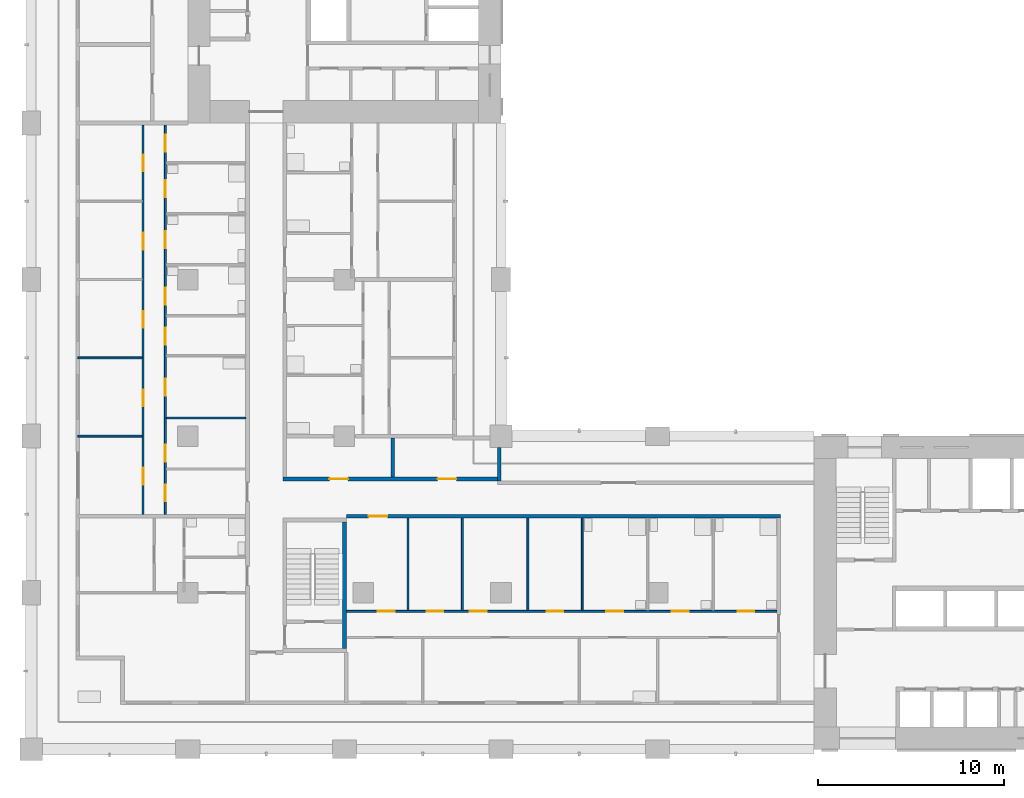
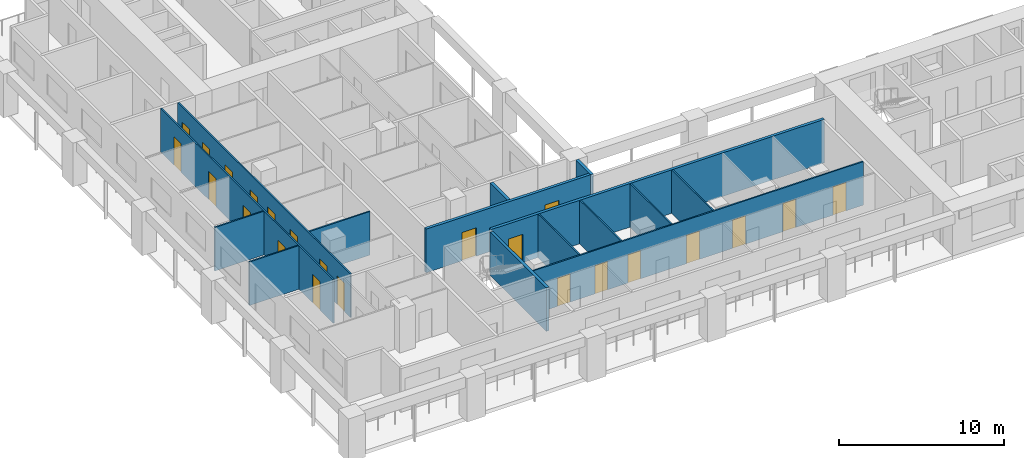
# One storey, part 3 of 17: 23 doors, 15 walls, 23 openings.
"""IFC4 building model written with IfcOpenShell, lengths in metres."""

from ifc_helpers import new_model, si_unit, direction, frame, frame_2d, origin, place, context, subcontext, project, spatial, rectangle, extrude, material, layer, layer_set, type_object, element, fill, save


model = new_model("IFC4")

# Units and contexts
model_context = context("Model", 3, precision=1e-05, world=origin(), true_north=direction((0.0, 1.0)))
body_context = subcontext(model_context, "Body", "Model", "MODEL_VIEW")
ifc_project = project(units=[si_unit("LENGTHUNIT", "METRE"), si_unit("AREAUNIT", "SQUARE_METRE"), si_unit("VOLUMEUNIT", "CUBIC_METRE"), si_unit("PLANEANGLEUNIT", "RADIAN"), si_unit("MASSUNIT", "GRAM", prefix="KILO")], contexts=[model_context])

# Site, building, storey
site_placement = place(None, origin())
site = spatial("IfcSite", under=ifc_project, at=site_placement, CompositionType="ELEMENT")
building_placement = place(site_placement, origin())
building = spatial("IfcBuilding", under=site, at=building_placement, Name="Vermilion Gate Residences", CompositionType="ELEMENT")
storey_placement = place(building_placement, frame((0.0, 0.0, 95.199951171875)))
storey = spatial("IfcBuildingStorey", under=building, at=storey_placement, Name="L23", CompositionType="ELEMENT", Elevation=95.199951171875)

# Wall
ifc_material_1 = material(Name="Insulated steel stud wall with terracotta rainscreen", Category="masonry")
ifc_layer_1 = layer(ifc_material_1, 0.199951171875)
ifc_layer_set_1 = layer_set([ifc_layer_1], Name="EXTERNAL WALL 200 TERRACOTTA RAINSCREEN")
wall_type_1 = type_object("IfcWallType", Name="EXTERNAL WALL 200 TERRACOTTA RAINSCREEN", PredefinedType="SOLIDWALL", material=ifc_layer_set_1)
wall_1_placement = place(storey_placement, frame((25.10009765625, 22.800048828125, 0.0), z_axis=(0.0, 0.0, 1.0), x_axis=(0.0, 1.0, 0.0)))
element("IfcWall", 1, at=wall_1_placement, inside=storey, type_object=wall_type_1, Name="External wall", PredefinedType="SOLIDWALL", context=body_context, shape_type="SweptSolid", body=[
    extrude(rectangle(XDim=1.800048828125, YDim=0.199951171875, at=frame_2d((0.89990234375, 0.0))), origin(), (0.0, 0.0, 1.0), 3.219970703125),
])

# Wall, openings, doors
ifc_material_2 = material(Name="Plasterboard on steel studs", Category="steel")
ifc_layer_2 = layer(ifc_material_2, 0.10009765625)
ifc_layer_set_2 = layer_set([ifc_layer_2], Name="PARTITION 100")
wall_type_2 = type_object("IfcWallType", Name="PARTITION 100", PredefinedType="PARTITIONING", material=ifc_layer_set_2)
wall_2_placement = place(storey_placement, frame((16.89990234375, 15.800048828125, 0.0), z_axis=(0.0, 0.0, 1.0), x_axis=(1.0, 0.0, 0.0)))
wall_2 = element("IfcWall", 2, at=wall_2_placement, inside=storey, type_object=wall_type_2, Name="Partition", PredefinedType="PARTITIONING", context=body_context, shape_type="SweptSolid", body=[
    extrude(rectangle(XDim=23.10009765625, YDim=0.10009765625, at=frame_2d((11.550048828125, 0.0))), origin(), (0.0, 0.0, 1.0), 3.219970703125),
])
opening_1_placement = place(wall_2_placement, frame((1.699951171875, 0.0, 0.0)))
opening_1 = element("IfcOpeningElement", 3, at=opening_1_placement, cuts=wall_2, Name="Opening DA22006", PredefinedType="OPENING", context=body_context, shape_type="SweptSolid", body=[
    extrude(rectangle(XDim=0.89990234375, YDim=2.10009765625, at=frame_2d((0.449951171875, 1.050048828125))), frame((0.0, 0.06005859375, 0.0), z_axis=(0.0, -1.0, 0.0), x_axis=(1.0, 0.0, 0.0)), (0.0, 0.0, 1.0), 0.1201171875),
])
opening_2_placement = place(wall_2_placement, frame((4.31396484375, 0.0, 0.0)))
opening_2 = element("IfcOpeningElement", 4, at=opening_2_placement, cuts=wall_2, Name="Opening DA22007", PredefinedType="OPENING", context=body_context, shape_type="SweptSolid", body=[
    extrude(rectangle(XDim=0.89990234375, YDim=2.10009765625, at=frame_2d((0.449951171875, 1.050048828125))), frame((0.0, 0.06005859375, 0.0), z_axis=(0.0, -1.0, 0.0), x_axis=(1.0, 0.0, 0.0)), (0.0, 0.0, 1.0), 0.1201171875),
])
opening_3_placement = place(wall_2_placement, frame((6.62890625, 0.0, 0.0)))
opening_3 = element("IfcOpeningElement", 5, at=opening_3_placement, cuts=wall_2, Name="Opening DA22008", PredefinedType="OPENING", context=body_context, shape_type="SweptSolid", body=[
    extrude(rectangle(XDim=0.89990234375, YDim=2.10009765625, at=frame_2d((0.449951171875, 1.050048828125))), frame((0.0, 0.06005859375, 0.0), z_axis=(0.0, -1.0, 0.0), x_axis=(1.0, 0.0, 0.0)), (0.0, 0.0, 1.0), 0.1201171875),
])
opening_4_placement = place(wall_2_placement, frame((10.742919921875, 0.0, 0.0)))
opening_4 = element("IfcOpeningElement", 6, at=opening_4_placement, cuts=wall_2, Name="Opening DA22009", PredefinedType="OPENING", context=body_context, shape_type="SweptSolid", body=[
    extrude(rectangle(XDim=0.89990234375, YDim=2.10009765625, at=frame_2d((0.449951171875, 1.050048828125))), frame((0.0, 0.06005859375, 0.0), z_axis=(0.0, -1.0, 0.0), x_axis=(1.0, 0.0, 0.0)), (0.0, 0.0, 1.0), 0.1201171875),
])
opening_5_placement = place(wall_2_placement, frame((13.95703125, 0.0, 0.0)))
opening_5 = element("IfcOpeningElement", 7, at=opening_5_placement, cuts=wall_2, Name="Opening DA22010", PredefinedType="OPENING", context=body_context, shape_type="SweptSolid", body=[
    extrude(rectangle(XDim=0.89990234375, YDim=2.10009765625, at=frame_2d((0.449951171875, 1.050048828125))), frame((0.0, 0.06005859375, 0.0), z_axis=(0.0, -1.0, 0.0), x_axis=(1.0, 0.0, 0.0)), (0.0, 0.0, 1.0), 0.1201171875),
])
opening_6_placement = place(wall_2_placement, frame((17.471923828125, 0.0, 0.0)))
opening_6 = element("IfcOpeningElement", 8, at=opening_6_placement, cuts=wall_2, Name="Opening DA22011", PredefinedType="OPENING", context=body_context, shape_type="SweptSolid", body=[
    extrude(rectangle(XDim=0.89990234375, YDim=2.10009765625, at=frame_2d((0.449951171875, 1.050048828125))), frame((0.0, 0.06005859375, 0.0), z_axis=(0.0, -1.0, 0.0), x_axis=(1.0, 0.0, 0.0)), (0.0, 0.0, 1.0), 0.1201171875),
])
opening_7_placement = place(wall_2_placement, frame((20.986083984375, 0.0, 0.0)))
opening_7 = element("IfcOpeningElement", 9, at=opening_7_placement, cuts=wall_2, Name="Opening DA22012", PredefinedType="OPENING", context=body_context, shape_type="SweptSolid", body=[
    extrude(rectangle(XDim=0.89990234375, YDim=2.10009765625, at=frame_2d((0.449951171875, 1.050048828125))), frame((0.0, 0.06005859375, 0.0), z_axis=(0.0, -1.0, 0.0), x_axis=(1.0, 0.0, 0.0)), (0.0, 0.0, 1.0), 0.1201171875),
])
ifc_material_3 = material(Name="Timber", Category="wood")
door_type_1 = type_object("IfcDoorType", Name="INTERIOR DOOR 900 X 2100", OperationType="SINGLE_SWING_LEFT", PredefinedType="DOOR", material=ifc_material_3)
door_1_placement = place(opening_1_placement, origin())
door_1 = element("IfcDoor", 10, at=door_1_placement, inside=storey, type_object=door_type_1, Name="Interior door", OperationType="SINGLE_SWING_RIGHT", OverallHeight=2.10009765625, OverallWidth=0.89990234375, PredefinedType="DOOR", context=body_context, shape_type="SweptSolid", body=[
    extrude(rectangle(XDim=0.89990234375, YDim=2.10009765625, at=frame_2d((0.449951171875, 1.050048828125))), frame((0.0, 0.02490234375, 0.0), z_axis=(0.0, -1.0, 0.0), x_axis=(1.0, 0.0, 0.0)), (0.0, 0.0, 1.0), 0.050048828125),
])
fill(opening_1, door_1)
door_2_placement = place(opening_2_placement, origin())
door_2 = element("IfcDoor", 11, at=door_2_placement, inside=storey, type_object=door_type_1, Name="Interior door", OperationType="SINGLE_SWING_LEFT", OverallHeight=2.10009765625, OverallWidth=0.89990234375, PredefinedType="DOOR", context=body_context, shape_type="SweptSolid", body=[
    extrude(rectangle(XDim=0.89990234375, YDim=2.10009765625, at=frame_2d((0.449951171875, 1.050048828125))), frame((0.0, 0.02490234375, 0.0), z_axis=(0.0, -1.0, 0.0), x_axis=(1.0, 0.0, 0.0)), (0.0, 0.0, 1.0), 0.050048828125),
])
fill(opening_2, door_2)
door_3_placement = place(opening_3_placement, origin())
door_3 = element("IfcDoor", 12, at=door_3_placement, inside=storey, type_object=door_type_1, Name="Interior door", OperationType="SINGLE_SWING_LEFT", OverallHeight=2.10009765625, OverallWidth=0.89990234375, PredefinedType="DOOR", context=body_context, shape_type="SweptSolid", body=[
    extrude(rectangle(XDim=0.89990234375, YDim=2.10009765625, at=frame_2d((0.449951171875, 1.050048828125))), frame((0.0, 0.02490234375, 0.0), z_axis=(0.0, -1.0, 0.0), x_axis=(1.0, 0.0, 0.0)), (0.0, 0.0, 1.0), 0.050048828125),
])
fill(opening_3, door_3)
door_4_placement = place(opening_4_placement, origin())
door_4 = element("IfcDoor", 13, at=door_4_placement, inside=storey, type_object=door_type_1, Name="Interior door", OperationType="SINGLE_SWING_LEFT", OverallHeight=2.10009765625, OverallWidth=0.89990234375, PredefinedType="DOOR", context=body_context, shape_type="SweptSolid", body=[
    extrude(rectangle(XDim=0.89990234375, YDim=2.10009765625, at=frame_2d((0.449951171875, 1.050048828125))), frame((0.0, 0.02490234375, 0.0), z_axis=(0.0, -1.0, 0.0), x_axis=(1.0, 0.0, 0.0)), (0.0, 0.0, 1.0), 0.050048828125),
])
fill(opening_4, door_4)
door_5_placement = place(opening_5_placement, origin())
door_5 = element("IfcDoor", 14, at=door_5_placement, inside=storey, type_object=door_type_1, Name="Interior door", OperationType="SINGLE_SWING_RIGHT", OverallHeight=2.10009765625, OverallWidth=0.89990234375, PredefinedType="DOOR", context=body_context, shape_type="SweptSolid", body=[
    extrude(rectangle(XDim=0.89990234375, YDim=2.10009765625, at=frame_2d((0.449951171875, 1.050048828125))), frame((0.0, 0.02490234375, 0.0), z_axis=(0.0, -1.0, 0.0), x_axis=(1.0, 0.0, 0.0)), (0.0, 0.0, 1.0), 0.050048828125),
])
fill(opening_5, door_5)
door_6_placement = place(opening_6_placement, origin())
door_6 = element("IfcDoor", 15, at=door_6_placement, inside=storey, type_object=door_type_1, Name="Interior door", OperationType="SINGLE_SWING_RIGHT", OverallHeight=2.10009765625, OverallWidth=0.89990234375, PredefinedType="DOOR", context=body_context, shape_type="SweptSolid", body=[
    extrude(rectangle(XDim=0.89990234375, YDim=2.10009765625, at=frame_2d((0.449951171875, 1.050048828125))), frame((0.0, 0.02490234375, 0.0), z_axis=(0.0, -1.0, 0.0), x_axis=(1.0, 0.0, 0.0)), (0.0, 0.0, 1.0), 0.050048828125),
])
fill(opening_6, door_6)
door_7_placement = place(opening_7_placement, origin())
door_7 = element("IfcDoor", 16, at=door_7_placement, inside=storey, type_object=door_type_1, Name="Interior door", OperationType="SINGLE_SWING_RIGHT", OverallHeight=2.10009765625, OverallWidth=0.89990234375, PredefinedType="DOOR", context=body_context, shape_type="SweptSolid", body=[
    extrude(rectangle(XDim=0.89990234375, YDim=2.10009765625, at=frame_2d((0.449951171875, 1.050048828125))), frame((0.0, 0.02490234375, 0.0), z_axis=(0.0, -1.0, 0.0), x_axis=(1.0, 0.0, 0.0)), (0.0, 0.0, 1.0), 0.050048828125),
])
fill(opening_7, door_7)

# Walls
wall_3_placement = place(storey_placement, frame((2.5, 25.199951171875, 0.0), z_axis=(0.0, 0.0, 1.0), x_axis=(1.0, 0.0, 0.0)))
element("IfcWall", 17, at=wall_3_placement, inside=storey, type_object=wall_type_2, Name="Partition", PredefinedType="PARTITIONING", context=body_context, shape_type="SweptSolid", body=[
    extrude(rectangle(XDim=3.449951171875, YDim=0.10009765625, at=frame_2d((1.72509765625, 0.0))), origin(), (0.0, 0.0, 1.0), 3.219970703125),
])
wall_4_placement = place(storey_placement, frame((7.25, 26.175048828125, 0.0), z_axis=(0.0, 0.0, 1.0), x_axis=(1.0, 0.0, 0.0)))
element("IfcWall", 18, at=wall_4_placement, inside=storey, type_object=wall_type_2, Name="Partition", PredefinedType="PARTITIONING", context=body_context, shape_type="SweptSolid", body=[
    extrude(rectangle(XDim=4.25, YDim=0.10009765625, at=frame_2d((2.125, 0.0))), origin(), (0.0, 0.0, 1.0), 3.219970703125),
])
wall_5_placement = place(storey_placement, frame((2.5, 29.39990234375, 0.0), z_axis=(0.0, 0.0, 1.0), x_axis=(1.0, 0.0, 0.0)))
element("IfcWall", 19, at=wall_5_placement, inside=storey, type_object=wall_type_2, Name="Partition", PredefinedType="PARTITIONING", context=body_context, shape_type="SweptSolid", body=[
    extrude(rectangle(XDim=3.449951171875, YDim=0.10009765625, at=frame_2d((1.72509765625, 0.0))), origin(), (0.0, 0.0, 1.0), 3.219970703125),
])

# Wall, openings, doors
wall_6_placement = place(storey_placement, frame((6.0, 21.0, 0.0), z_axis=(0.0, 0.0, 1.0), x_axis=(0.0, 1.0, 0.0)))
wall_6 = element("IfcWall", 20, at=wall_6_placement, inside=storey, type_object=wall_type_2, Name="Partition", PredefinedType="PARTITIONING", context=body_context, shape_type="SweptSolid", body=[
    extrude(rectangle(XDim=20.89990234375, YDim=0.10009765625, at=frame_2d((10.449951171875, 0.0))), origin(), (0.0, 0.0, 1.0), 3.219970703125),
])
opening_8_placement = place(wall_6_placement, frame((1.60009765625, 0.0, 0.0)))
opening_8 = element("IfcOpeningElement", 21, at=opening_8_placement, cuts=wall_6, Name="Opening DA22017", PredefinedType="OPENING", context=body_context, shape_type="SweptSolid", body=[
    extrude(rectangle(XDim=0.89990234375, YDim=2.10009765625, at=frame_2d((0.449951171875, 1.050048828125))), frame((0.0, 0.06005859375, 0.0), z_axis=(0.0, -1.0, 0.0), x_axis=(1.0, 0.0, 0.0)), (0.0, 0.0, 1.0), 0.1201171875),
])
opening_9_placement = place(wall_6_placement, frame((5.800048828125, 0.0, 0.0)))
opening_9 = element("IfcOpeningElement", 22, at=opening_9_placement, cuts=wall_6, Name="Opening DA22018", PredefinedType="OPENING", context=body_context, shape_type="SweptSolid", body=[
    extrude(rectangle(XDim=0.89990234375, YDim=2.10009765625, at=frame_2d((0.449951171875, 1.050048828125))), frame((0.0, 0.06005859375, 0.0), z_axis=(0.0, -1.0, 0.0), x_axis=(1.0, 0.0, 0.0)), (0.0, 0.0, 1.0), 0.1201171875),
])
opening_10_placement = place(wall_6_placement, frame((10.0, 0.0, 0.0)))
opening_10 = element("IfcOpeningElement", 23, at=opening_10_placement, cuts=wall_6, Name="Opening DA22019", PredefinedType="OPENING", context=body_context, shape_type="SweptSolid", body=[
    extrude(rectangle(XDim=0.89990234375, YDim=2.10009765625, at=frame_2d((0.449951171875, 1.050048828125))), frame((0.0, 0.06005859375, 0.0), z_axis=(0.0, -1.0, 0.0), x_axis=(1.0, 0.0, 0.0)), (0.0, 0.0, 1.0), 0.1201171875),
])
opening_11_placement = place(wall_6_placement, frame((14.199951171875, 0.0, 0.0)))
opening_11 = element("IfcOpeningElement", 24, at=opening_11_placement, cuts=wall_6, Name="Opening DA22020", PredefinedType="OPENING", context=body_context, shape_type="SweptSolid", body=[
    extrude(rectangle(XDim=0.89990234375, YDim=2.10009765625, at=frame_2d((0.449951171875, 1.050048828125))), frame((0.0, 0.06005859375, 0.0), z_axis=(0.0, -1.0, 0.0), x_axis=(1.0, 0.0, 0.0)), (0.0, 0.0, 1.0), 0.1201171875),
])
opening_12_placement = place(wall_6_placement, frame((18.39990234375, 0.0, 0.0)))
opening_12 = element("IfcOpeningElement", 25, at=opening_12_placement, cuts=wall_6, Name="Opening DA22021", PredefinedType="OPENING", context=body_context, shape_type="SweptSolid", body=[
    extrude(rectangle(XDim=0.89990234375, YDim=2.10009765625, at=frame_2d((0.449951171875, 1.050048828125))), frame((0.0, 0.06005859375, 0.0), z_axis=(0.0, -1.0, 0.0), x_axis=(1.0, 0.0, 0.0)), (0.0, 0.0, 1.0), 0.1201171875),
])
door_8_placement = place(opening_8_placement, origin())
door_8 = element("IfcDoor", 26, at=door_8_placement, inside=storey, type_object=door_type_1, Name="Interior door", OperationType="SINGLE_SWING_LEFT", OverallHeight=2.10009765625, OverallWidth=0.89990234375, PredefinedType="DOOR", context=body_context, shape_type="SweptSolid", body=[
    extrude(rectangle(XDim=0.89990234375, YDim=2.10009765625, at=frame_2d((0.449951171875, 1.050048828125))), frame((0.0, 0.02490234375, 0.0), z_axis=(0.0, -1.0, 0.0), x_axis=(1.0, 0.0, 0.0)), (0.0, 0.0, 1.0), 0.050048828125),
])
fill(opening_8, door_8)
door_9_placement = place(opening_9_placement, origin())
door_9 = element("IfcDoor", 27, at=door_9_placement, inside=storey, type_object=door_type_1, Name="Interior door", OperationType="SINGLE_SWING_LEFT", OverallHeight=2.10009765625, OverallWidth=0.89990234375, PredefinedType="DOOR", context=body_context, shape_type="SweptSolid", body=[
    extrude(rectangle(XDim=0.89990234375, YDim=2.10009765625, at=frame_2d((0.449951171875, 1.050048828125))), frame((0.0, 0.02490234375, 0.0), z_axis=(0.0, -1.0, 0.0), x_axis=(1.0, 0.0, 0.0)), (0.0, 0.0, 1.0), 0.050048828125),
])
fill(opening_9, door_9)
door_10_placement = place(opening_10_placement, origin())
door_10 = element("IfcDoor", 28, at=door_10_placement, inside=storey, type_object=door_type_1, Name="Interior door", OperationType="SINGLE_SWING_LEFT", OverallHeight=2.10009765625, OverallWidth=0.89990234375, PredefinedType="DOOR", context=body_context, shape_type="SweptSolid", body=[
    extrude(rectangle(XDim=0.89990234375, YDim=2.10009765625, at=frame_2d((0.449951171875, 1.050048828125))), frame((0.0, 0.02490234375, 0.0), z_axis=(0.0, -1.0, 0.0), x_axis=(1.0, 0.0, 0.0)), (0.0, 0.0, 1.0), 0.050048828125),
])
fill(opening_10, door_10)
door_11_placement = place(opening_11_placement, origin())
door_11 = element("IfcDoor", 29, at=door_11_placement, inside=storey, type_object=door_type_1, Name="Interior door", OperationType="SINGLE_SWING_LEFT", OverallHeight=2.10009765625, OverallWidth=0.89990234375, PredefinedType="DOOR", context=body_context, shape_type="SweptSolid", body=[
    extrude(rectangle(XDim=0.89990234375, YDim=2.10009765625, at=frame_2d((0.449951171875, 1.050048828125))), frame((0.0, 0.02490234375, 0.0), z_axis=(0.0, -1.0, 0.0), x_axis=(1.0, 0.0, 0.0)), (0.0, 0.0, 1.0), 0.050048828125),
])
fill(opening_11, door_11)
door_12_placement = place(opening_12_placement, origin())
door_12 = element("IfcDoor", 30, at=door_12_placement, inside=storey, type_object=door_type_1, Name="Interior door", OperationType="SINGLE_SWING_LEFT", OverallHeight=2.10009765625, OverallWidth=0.89990234375, PredefinedType="DOOR", context=body_context, shape_type="SweptSolid", body=[
    extrude(rectangle(XDim=0.89990234375, YDim=2.10009765625, at=frame_2d((0.449951171875, 1.050048828125))), frame((0.0, 0.02490234375, 0.0), z_axis=(0.0, -1.0, 0.0), x_axis=(1.0, 0.0, 0.0)), (0.0, 0.0, 1.0), 0.050048828125),
])
fill(opening_12, door_12)

wall_7_placement = place(storey_placement, frame((7.199951171875, 21.0, 0.0), z_axis=(0.0, 0.0, 1.0), x_axis=(0.0, 1.0, 0.0)))
wall_7 = element("IfcWall", 31, at=wall_7_placement, inside=storey, type_object=wall_type_2, Name="Partition", PredefinedType="PARTITIONING", context=body_context, shape_type="SweptSolid", body=[
    extrude(rectangle(XDim=20.89990234375, YDim=0.10009765625, at=frame_2d((10.449951171875, 0.0))), origin(), (0.0, 0.0, 1.0), 3.219970703125),
])
opening_13_placement = place(wall_7_placement, frame((0.699951171875, 0.0, 0.0)))
opening_13 = element("IfcOpeningElement", 32, at=opening_13_placement, cuts=wall_7, Name="Opening DA22026", PredefinedType="OPENING", context=body_context, shape_type="SweptSolid", body=[
    extrude(rectangle(XDim=0.89990234375, YDim=2.10009765625, at=frame_2d((0.449951171875, 1.050048828125))), frame((0.0, 0.06005859375, 0.0), z_axis=(0.0, -1.0, 0.0), x_axis=(1.0, 0.0, 0.0)), (0.0, 0.0, 1.0), 0.1201171875),
])
opening_14_placement = place(wall_7_placement, frame((2.837890625, 0.0, 0.0)))
opening_14 = element("IfcOpeningElement", 33, at=opening_14_placement, cuts=wall_7, Name="Opening DA22027", PredefinedType="OPENING", context=body_context, shape_type="SweptSolid", body=[
    extrude(rectangle(XDim=0.89990234375, YDim=2.10009765625, at=frame_2d((0.449951171875, 1.050048828125))), frame((0.0, 0.06005859375, 0.0), z_axis=(0.0, -1.0, 0.0), x_axis=(1.0, 0.0, 0.0)), (0.0, 0.0, 1.0), 0.1201171875),
])
opening_15_placement = place(wall_7_placement, frame((6.375, 0.0, 0.0)))
opening_15 = element("IfcOpeningElement", 34, at=opening_15_placement, cuts=wall_7, Name="Opening DA22028", PredefinedType="OPENING", context=body_context, shape_type="SweptSolid", body=[
    extrude(rectangle(XDim=0.89990234375, YDim=2.10009765625, at=frame_2d((0.449951171875, 1.050048828125))), frame((0.0, 0.06005859375, 0.0), z_axis=(0.0, -1.0, 0.0), x_axis=(1.0, 0.0, 0.0)), (0.0, 0.0, 1.0), 0.1201171875),
])
opening_16_placement = place(wall_7_placement, frame((9.113037109375, 0.0, 0.0)))
opening_16 = element("IfcOpeningElement", 35, at=opening_16_placement, cuts=wall_7, Name="Opening DA22029", PredefinedType="OPENING", context=body_context, shape_type="SweptSolid", body=[
    extrude(rectangle(XDim=0.89990234375, YDim=2.10009765625, at=frame_2d((0.449951171875, 1.050048828125))), frame((0.0, 0.06005859375, 0.0), z_axis=(0.0, -1.0, 0.0), x_axis=(1.0, 0.0, 0.0)), (0.0, 0.0, 1.0), 0.1201171875),
])
opening_17_placement = place(wall_7_placement, frame((11.25, 0.0, 0.0)))
opening_17 = element("IfcOpeningElement", 36, at=opening_17_placement, cuts=wall_7, Name="Opening DA22030", PredefinedType="OPENING", context=body_context, shape_type="SweptSolid", body=[
    extrude(rectangle(XDim=0.89990234375, YDim=2.10009765625, at=frame_2d((0.449951171875, 1.050048828125))), frame((0.0, 0.06005859375, 0.0), z_axis=(0.0, -1.0, 0.0), x_axis=(1.0, 0.0, 0.0)), (0.0, 0.0, 1.0), 0.1201171875),
])
opening_18_placement = place(wall_7_placement, frame((14.2880859375, 0.0, 0.0)))
opening_18 = element("IfcOpeningElement", 37, at=opening_18_placement, cuts=wall_7, Name="Opening DA22031", PredefinedType="OPENING", context=body_context, shape_type="SweptSolid", body=[
    extrude(rectangle(XDim=0.89990234375, YDim=2.10009765625, at=frame_2d((0.449951171875, 1.050048828125))), frame((0.0, 0.06005859375, 0.0), z_axis=(0.0, -1.0, 0.0), x_axis=(1.0, 0.0, 0.0)), (0.0, 0.0, 1.0), 0.1201171875),
])
opening_19_placement = place(wall_7_placement, frame((17.02490234375, 0.0, 0.0)))
opening_19 = element("IfcOpeningElement", 38, at=opening_19_placement, cuts=wall_7, Name="Opening DA22032", PredefinedType="OPENING", context=body_context, shape_type="SweptSolid", body=[
    extrude(rectangle(XDim=0.89990234375, YDim=2.10009765625, at=frame_2d((0.449951171875, 1.050048828125))), frame((0.0, 0.06005859375, 0.0), z_axis=(0.0, -1.0, 0.0), x_axis=(1.0, 0.0, 0.0)), (0.0, 0.0, 1.0), 0.1201171875),
])
opening_20_placement = place(wall_7_placement, frame((19.462890625, 0.0, 0.0)))
opening_20 = element("IfcOpeningElement", 39, at=opening_20_placement, cuts=wall_7, Name="Opening DA22033", PredefinedType="OPENING", context=body_context, shape_type="SweptSolid", body=[
    extrude(rectangle(XDim=0.89990234375, YDim=2.10009765625, at=frame_2d((0.449951171875, 1.050048828125))), frame((0.0, 0.06005859375, 0.0), z_axis=(0.0, -1.0, 0.0), x_axis=(1.0, 0.0, 0.0)), (0.0, 0.0, 1.0), 0.1201171875),
])
door_13_placement = place(opening_13_placement, frame((0.89990234375, 0.0, 0.0), z_axis=(0.0, 0.0, 1.0), x_axis=(-1.0, 0.0, 0.0)))
door_13 = element("IfcDoor", 40, at=door_13_placement, inside=storey, type_object=door_type_1, Name="Interior door", OperationType="SINGLE_SWING_RIGHT", OverallHeight=2.10009765625, OverallWidth=0.89990234375, PredefinedType="DOOR", context=body_context, shape_type="SweptSolid", body=[
    extrude(rectangle(XDim=0.89990234375, YDim=2.10009765625, at=frame_2d((0.449951171875, 1.050048828125))), frame((0.0, 0.02490234375, 0.0), z_axis=(0.0, -1.0, 0.0), x_axis=(1.0, 0.0, 0.0)), (0.0, 0.0, 1.0), 0.050048828125),
])
fill(opening_13, door_13)
door_14_placement = place(opening_14_placement, frame((0.89990234375, 0.0, 0.0), z_axis=(0.0, 0.0, 1.0), x_axis=(-1.0, 0.0, 0.0)))
door_14 = element("IfcDoor", 41, at=door_14_placement, inside=storey, type_object=door_type_1, Name="Interior door", OperationType="SINGLE_SWING_RIGHT", OverallHeight=2.10009765625, OverallWidth=0.89990234375, PredefinedType="DOOR", context=body_context, shape_type="SweptSolid", body=[
    extrude(rectangle(XDim=0.89990234375, YDim=2.10009765625, at=frame_2d((0.449951171875, 1.050048828125))), frame((0.0, 0.02490234375, 0.0), z_axis=(0.0, -1.0, 0.0), x_axis=(1.0, 0.0, 0.0)), (0.0, 0.0, 1.0), 0.050048828125),
])
fill(opening_14, door_14)
door_15_placement = place(opening_15_placement, frame((0.89990234375, 0.0, 0.0), z_axis=(0.0, 0.0, 1.0), x_axis=(-1.0, 0.0, 0.0)))
door_15 = element("IfcDoor", 42, at=door_15_placement, inside=storey, type_object=door_type_1, Name="Interior door", OperationType="SINGLE_SWING_RIGHT", OverallHeight=2.10009765625, OverallWidth=0.89990234375, PredefinedType="DOOR", context=body_context, shape_type="SweptSolid", body=[
    extrude(rectangle(XDim=0.89990234375, YDim=2.10009765625, at=frame_2d((0.449951171875, 1.050048828125))), frame((0.0, 0.02490234375, 0.0), z_axis=(0.0, -1.0, 0.0), x_axis=(1.0, 0.0, 0.0)), (0.0, 0.0, 1.0), 0.050048828125),
])
fill(opening_15, door_15)
door_16_placement = place(opening_16_placement, frame((0.89990234375, 0.0, 0.0), z_axis=(0.0, 0.0, 1.0), x_axis=(-1.0, 0.0, 0.0)))
door_16 = element("IfcDoor", 43, at=door_16_placement, inside=storey, type_object=door_type_1, Name="Interior door", OperationType="SINGLE_SWING_RIGHT", OverallHeight=2.10009765625, OverallWidth=0.89990234375, PredefinedType="DOOR", context=body_context, shape_type="SweptSolid", body=[
    extrude(rectangle(XDim=0.89990234375, YDim=2.10009765625, at=frame_2d((0.449951171875, 1.050048828125))), frame((0.0, 0.02490234375, 0.0), z_axis=(0.0, -1.0, 0.0), x_axis=(1.0, 0.0, 0.0)), (0.0, 0.0, 1.0), 0.050048828125),
])
fill(opening_16, door_16)
door_17_placement = place(opening_17_placement, frame((0.89990234375, 0.0, 0.0), z_axis=(0.0, 0.0, 1.0), x_axis=(-1.0, 0.0, 0.0)))
door_17 = element("IfcDoor", 44, at=door_17_placement, inside=storey, type_object=door_type_1, Name="Interior door", OperationType="SINGLE_SWING_RIGHT", OverallHeight=2.10009765625, OverallWidth=0.89990234375, PredefinedType="DOOR", context=body_context, shape_type="SweptSolid", body=[
    extrude(rectangle(XDim=0.89990234375, YDim=2.10009765625, at=frame_2d((0.449951171875, 1.050048828125))), frame((0.0, 0.02490234375, 0.0), z_axis=(0.0, -1.0, 0.0), x_axis=(1.0, 0.0, 0.0)), (0.0, 0.0, 1.0), 0.050048828125),
])
fill(opening_17, door_17)
door_18_placement = place(opening_18_placement, frame((0.89990234375, 0.0, 0.0), z_axis=(0.0, 0.0, 1.0), x_axis=(-1.0, 0.0, 0.0)))
door_18 = element("IfcDoor", 45, at=door_18_placement, inside=storey, type_object=door_type_1, Name="Interior door", OperationType="SINGLE_SWING_LEFT", OverallHeight=2.10009765625, OverallWidth=0.89990234375, PredefinedType="DOOR", context=body_context, shape_type="SweptSolid", body=[
    extrude(rectangle(XDim=0.89990234375, YDim=2.10009765625, at=frame_2d((0.449951171875, 1.050048828125))), frame((0.0, 0.02490234375, 0.0), z_axis=(0.0, -1.0, 0.0), x_axis=(1.0, 0.0, 0.0)), (0.0, 0.0, 1.0), 0.050048828125),
])
fill(opening_18, door_18)
door_19_placement = place(opening_19_placement, frame((0.89990234375, 0.0, 0.0), z_axis=(0.0, 0.0, 1.0), x_axis=(-1.0, 0.0, 0.0)))
door_19 = element("IfcDoor", 46, at=door_19_placement, inside=storey, type_object=door_type_1, Name="Interior door", OperationType="SINGLE_SWING_LEFT", OverallHeight=2.10009765625, OverallWidth=0.89990234375, PredefinedType="DOOR", context=body_context, shape_type="SweptSolid", body=[
    extrude(rectangle(XDim=0.89990234375, YDim=2.10009765625, at=frame_2d((0.449951171875, 1.050048828125))), frame((0.0, 0.02490234375, 0.0), z_axis=(0.0, -1.0, 0.0), x_axis=(1.0, 0.0, 0.0)), (0.0, 0.0, 1.0), 0.050048828125),
])
fill(opening_19, door_19)
door_20_placement = place(opening_20_placement, frame((0.89990234375, 0.0, 0.0), z_axis=(0.0, 0.0, 1.0), x_axis=(-1.0, 0.0, 0.0)))
door_20 = element("IfcDoor", 47, at=door_20_placement, inside=storey, type_object=door_type_1, Name="Interior door", OperationType="SINGLE_SWING_LEFT", OverallHeight=2.10009765625, OverallWidth=0.89990234375, PredefinedType="DOOR", context=body_context, shape_type="SweptSolid", body=[
    extrude(rectangle(XDim=0.89990234375, YDim=2.10009765625, at=frame_2d((0.449951171875, 1.050048828125))), frame((0.0, 0.02490234375, 0.0), z_axis=(0.0, -1.0, 0.0), x_axis=(1.0, 0.0, 0.0)), (0.0, 0.0, 1.0), 0.050048828125),
])
fill(opening_20, door_20)

# Walls
for number, where, z_axis, x_axis, name in (
    (48, (20.214111328125, 15.85009765625, 0.0), (0.0, 0.0, 1.0), (0.0, 1.0, 0.0), "Partition"),
    (49, (23.12890625, 15.85009765625, 0.0), (0.0, 0.0, 1.0), (0.0, 1.0, 0.0), "Partition"),
    (50, (26.64306640625, 15.85009765625, 0.0), (0.0, 0.0, 1.0), (0.0, 1.0, 0.0), "Partition"),
    (51, (29.556884765625, 15.85009765625, 0.0), (0.0, 0.0, 1.0), (0.0, 1.0, 0.0), "Partition"),
):
    element("IfcWall", number, at=place(storey_placement, frame(where, z_axis=z_axis, x_axis=x_axis)), inside=storey, type_object=wall_type_2, Name=name, PredefinedType="PARTITIONING", context=body_context, shape_type="SweptSolid", body=[
        extrude(rectangle(XDim=4.949951171875, YDim=0.10009765625, at=frame_2d((2.47509765625, 0.0))), origin(), (0.0, 0.0, 1.0), 3.219970703125),
    ])

# Wall, opening, door
ifc_material_4 = material(Name="Fire-rated plasterboard on steel studs", Category="steel")
ifc_layer_3 = layer(ifc_material_4, 0.199951171875)
ifc_layer_set_3 = layer_set([ifc_layer_3], Name="PARTY WALL 200 EI 120")
wall_type_3 = type_object("IfcWallType", Name="PARTY WALL 200 EI 120", PredefinedType="PARTITIONING", material=ifc_layer_set_3)
wall_8_placement = place(storey_placement, frame((16.89990234375, 20.89990234375, 0.0), z_axis=(0.0, 0.0, 1.0), x_axis=(1.0, 0.0, 0.0)))
wall_8 = element("IfcWall", 52, at=wall_8_placement, inside=storey, type_object=wall_type_3, Name="Party and corridor wall", PredefinedType="PARTITIONING", context=body_context, shape_type="SweptSolid", body=[
    extrude(rectangle(XDim=23.300048828125, YDim=0.199951171875, at=frame_2d((11.64990234375, 0.0))), origin(), (0.0, 0.0, 1.0), 3.219970703125),
])
opening_21_placement = place(wall_8_placement, frame((1.199951171875, 0.0, 0.0)))
opening_21 = element("IfcOpeningElement", 53, at=opening_21_placement, cuts=wall_8, Name="Opening DA22014", PredefinedType="OPENING", context=body_context, shape_type="SweptSolid", body=[
    extrude(rectangle(XDim=1.0, YDim=2.10009765625, at=frame_2d((0.5, 1.050048828125))), frame((0.0, 0.10986328125, 0.0), z_axis=(0.0, -1.0, 0.0), x_axis=(1.0, 0.0, 0.0)), (0.0, 0.0, 1.0), 0.219970703125),
])
ifc_material_5 = material(Name="Steel", Category="steel")
door_type_2 = type_object("IfcDoorType", Name="ENTRANCE DOOR 1000 X 2100 FD30", OperationType="SINGLE_SWING_LEFT", PredefinedType="DOOR", material=ifc_material_5)
door_21_placement = place(opening_21_placement, frame((1.0, 0.0, 0.0), z_axis=(0.0, 0.0, 1.0), x_axis=(-1.0, 0.0, 0.0)))
door_21 = element("IfcDoor", 54, at=door_21_placement, inside=storey, type_object=door_type_2, Name="Entrance door", OperationType="SINGLE_SWING_LEFT", OverallHeight=2.10009765625, OverallWidth=1.0, PredefinedType="DOOR", context=body_context, shape_type="SweptSolid", body=[
    extrude(rectangle(XDim=1.0, YDim=2.10009765625, at=frame_2d((0.5, 1.050048828125))), frame((0.0, 0.02490234375, 0.0), z_axis=(0.0, -1.0, 0.0), x_axis=(1.0, 0.0, 0.0)), (0.0, 0.0, 1.0), 0.050048828125),
])
fill(opening_21, door_21)

# Wall, openings, doors
wall_9_placement = place(storey_placement, frame((13.5, 22.89990234375, 0.0), z_axis=(0.0, 0.0, 1.0), x_axis=(1.0, 0.0, 0.0)))
wall_9 = element("IfcWall", 55, at=wall_9_placement, inside=storey, type_object=wall_type_3, Name="Party and corridor wall", PredefinedType="PARTITIONING", context=body_context, shape_type="SweptSolid", body=[
    extrude(rectangle(XDim=11.60009765625, YDim=0.199951171875, at=frame_2d((5.800048828125, 0.0))), origin(), (0.0, 0.0, 1.0), 3.219970703125),
])
opening_22_placement = place(wall_9_placement, frame((2.5, 0.0, 0.0)))
opening_22 = element("IfcOpeningElement", 56, at=opening_22_placement, cuts=wall_9, Name="Opening DA22015", PredefinedType="OPENING", context=body_context, shape_type="SweptSolid", body=[
    extrude(rectangle(XDim=1.0, YDim=2.10009765625, at=frame_2d((0.5, 1.050048828125))), frame((0.0, 0.10986328125, 0.0), z_axis=(0.0, -1.0, 0.0), x_axis=(1.0, 0.0, 0.0)), (0.0, 0.0, 1.0), 0.219970703125),
])
opening_23_placement = place(wall_9_placement, frame((8.300048828125, 0.0, 0.0)))
opening_23 = element("IfcOpeningElement", 57, at=opening_23_placement, cuts=wall_9, Name="Opening DA22016", PredefinedType="OPENING", context=body_context, shape_type="SweptSolid", body=[
    extrude(rectangle(XDim=1.0, YDim=2.10009765625, at=frame_2d((0.5, 1.050048828125))), frame((0.0, 0.10986328125, 0.0), z_axis=(0.0, -1.0, 0.0), x_axis=(1.0, 0.0, 0.0)), (0.0, 0.0, 1.0), 0.219970703125),
])
door_22_placement = place(opening_22_placement, origin())
door_22 = element("IfcDoor", 58, at=door_22_placement, inside=storey, type_object=door_type_2, Name="Entrance door", OperationType="SINGLE_SWING_RIGHT", OverallHeight=2.10009765625, OverallWidth=1.0, PredefinedType="DOOR", context=body_context, shape_type="SweptSolid", body=[
    extrude(rectangle(XDim=1.0, YDim=2.10009765625, at=frame_2d((0.5, 1.050048828125))), frame((0.0, 0.02490234375, 0.0), z_axis=(0.0, -1.0, 0.0), x_axis=(1.0, 0.0, 0.0)), (0.0, 0.0, 1.0), 0.050048828125),
])
fill(opening_22, door_22)
door_23_placement = place(opening_23_placement, origin())
door_23 = element("IfcDoor", 59, at=door_23_placement, inside=storey, type_object=door_type_2, Name="Entrance door", OperationType="SINGLE_SWING_RIGHT", OverallHeight=2.10009765625, OverallWidth=1.0, PredefinedType="DOOR", context=body_context, shape_type="SweptSolid", body=[
    extrude(rectangle(XDim=1.0, YDim=2.10009765625, at=frame_2d((0.5, 1.050048828125))), frame((0.0, 0.02490234375, 0.0), z_axis=(0.0, -1.0, 0.0), x_axis=(1.0, 0.0, 0.0)), (0.0, 0.0, 1.0), 0.050048828125),
])
fill(opening_23, door_23)

# Walls
wall_10_placement = place(storey_placement, frame((19.39990234375, 23.0, 0.0), z_axis=(0.0, 0.0, 1.0), x_axis=(0.0, 1.0, 0.0)))
element("IfcWall", 60, at=wall_10_placement, inside=storey, type_object=wall_type_3, Name="Party and corridor wall", PredefinedType="PARTITIONING", context=body_context, shape_type="SweptSolid", body=[
    extrude(rectangle(XDim=2.10009765625, YDim=0.199951171875, at=frame_2d((1.050048828125, 0.0))), origin(), (0.0, 0.0, 1.0), 3.219970703125),
])
ifc_material_6 = material(Name="Concrete C60", Category="concrete")
ifc_layer_4 = layer(ifc_material_6, 0.199951171875)
ifc_layer_set_4 = layer_set([ifc_layer_4], Name="RC CORE INTERNAL WALL 200 C60")
wall_type_4 = type_object("IfcWallType", Name="RC CORE INTERNAL WALL 200 C60", PredefinedType="SHEAR", material=ifc_layer_set_4)
wall_11_placement = place(storey_placement, frame((16.800048828125, 13.800048828125, 0.0), z_axis=(0.0, 0.0, 1.0), x_axis=(0.0, 1.0, 0.0)))
element("IfcWall", 61, at=wall_11_placement, inside=storey, type_object=wall_type_4, Name="Core internal wall C23-E", PredefinedType="SHEAR", context=body_context, shape_type="SweptSolid", body=[
    extrude(rectangle(XDim=6.800048828125, YDim=0.199951171875, at=frame_2d((3.39990234375, 0.0))), origin(), (0.0, 0.0, 1.0), 3.219970703125),
])

save(model, "model.ifc")
